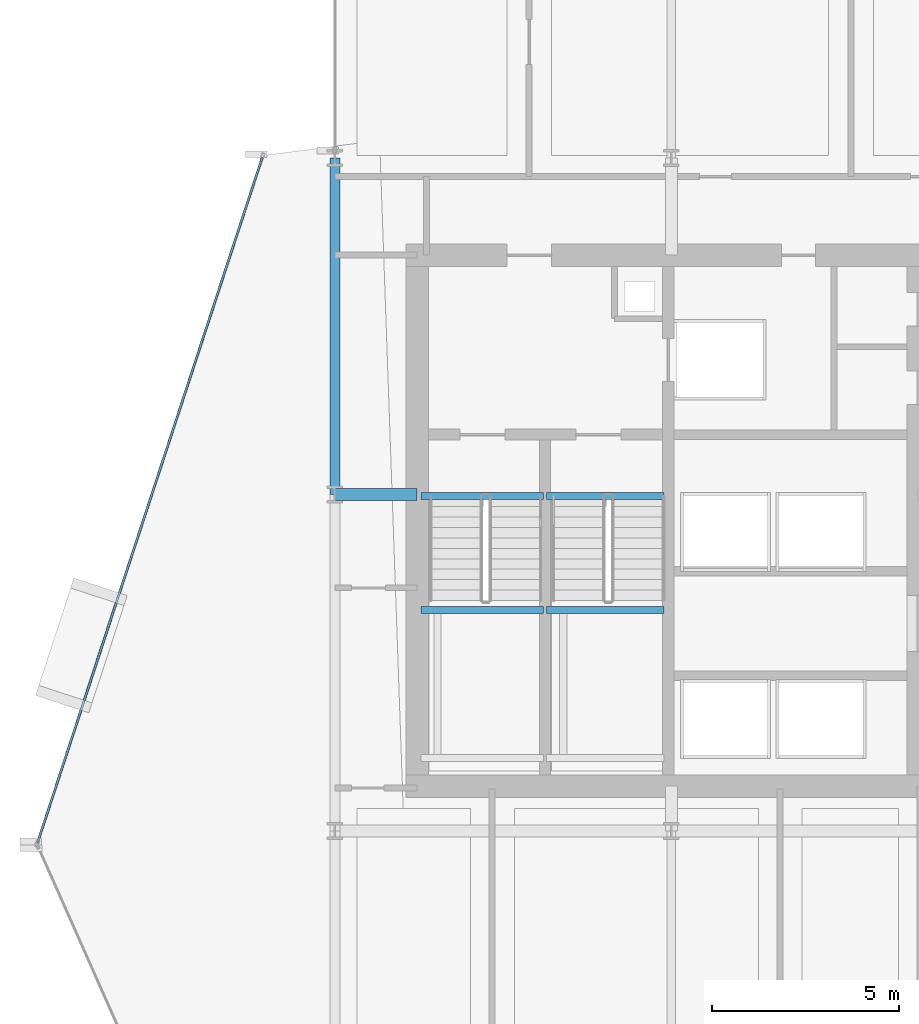
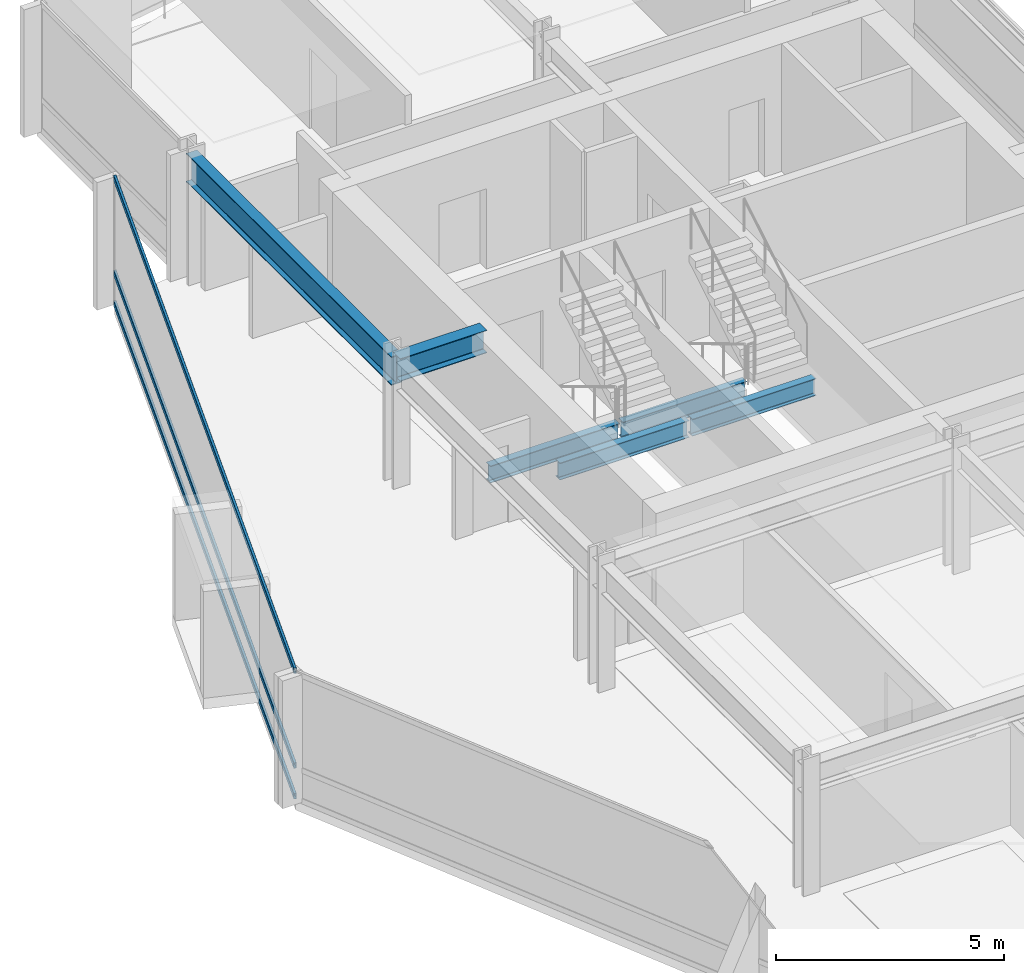
# One storey, part 15 of 29: 6 beams, 3 members, 1 element without a shape of its own.
"""IFC4 building model written with IfcOpenShell, lengths in metres."""

from ifc_helpers import new_model, si_unit, direction, frame, origin, origin_2d, place, context, subcontext, project, spatial, hollow_rectangle, i_section, extrude, material, layer, layer_set, material_profile, profile_set, type_object, element, aggregate, save


model = new_model("IFC4")

# Units and contexts
model_context = context("Model", 3, precision=1e-05, world=origin(), true_north=direction((0.0, 1.0)))
body_context = subcontext(model_context, "Body", "Model", "MODEL_VIEW")
ifc_project = project(units=[si_unit("LENGTHUNIT", "METRE"), si_unit("AREAUNIT", "SQUARE_METRE"), si_unit("VOLUMEUNIT", "CUBIC_METRE"), si_unit("PLANEANGLEUNIT", "RADIAN"), si_unit("MASSUNIT", "GRAM", prefix="KILO")], contexts=[model_context])

# Site, building, storey
site_placement = place(None, origin())
site = spatial("IfcSite", under=ifc_project, at=site_placement, CompositionType="ELEMENT")
building_placement = place(site_placement, origin())
building = spatial("IfcBuilding", under=site, at=building_placement, Name="Solvaryn Broadcast Tower", CompositionType="ELEMENT")
storey_placement = place(building_placement, frame((0.0, 0.0, 124.800048828125)))
storey = spatial("IfcBuildingStorey", under=building, at=storey_placement, Name="L30", CompositionType="ELEMENT", Elevation=124.800048828125)

# Beams
ifc_material_1 = material(Name="Steel ASTM A992 Grade 50", Category="steel")
ifc_material_profile_1 = material_profile(ifc_material_1, i_section(OverallWidth=0.323974609375, OverallDepth=0.611083984375, WebThickness=0.0126953125, FlangeThickness=0.01904296875, FilletRadius=0.014892578125, at=origin_2d()))
ifc_profile_set_1 = profile_set([ifc_material_profile_1], Name="Steel ASTM A992 Grade 50")
beam_type_1 = type_object("IfcBeamType", Name="BM-B1-W24X104", PredefinedType="BEAM", material=ifc_profile_set_1)
beam_1_placement = place(storey_placement, frame((9.0, 36.0, 3.114501953125), z_axis=(1.0, 0.0, 0.0), x_axis=(0.0, 1.0, 0.0)))
element("IfcBeam", 1, at=beam_1_placement, inside=storey, type_object=beam_type_1, Name="L30 Core Tie Beam CTW1", PredefinedType="BEAM", context=body_context, shape_type="SweptSolid", body=[
    extrude(i_section(OverallWidth=0.323974609375, OverallDepth=0.611083984375, WebThickness=0.0126953125, FlangeThickness=0.01904296875, FilletRadius=0.014892578125, at=origin_2d()), origin(), (0.0, 0.0, 1.0), 2.199951171875),
])
ifc_material_2 = material(Name="Steel ASTM A992 Grade 50", Category="steel")
ifc_material_profile_2 = material_profile(ifc_material_2, i_section(OverallWidth=0.18994140625, OverallDepth=0.45703125, WebThickness=0.009033203125, FlangeThickness=0.014404296875, FilletRadius=0.011962890625, at=origin_2d()))
ifc_profile_set_2 = profile_set([ifc_material_profile_2], Name="Steel ASTM A992 Grade 50")
beam_type_2 = type_object("IfcBeamType", Name="BM-B4-W18X50", PredefinedType="BEAM", material=ifc_profile_set_2)
for number, where, z_axis, x_axis, name in (
    (2, (11.300048828125, 35.9599609375, -0.508544921875), (1.0, 0.0, 0.0), (0.0, 1.0, 0.0), "L30 ST1 Stair Well Trimmer Beam"),
    (3, (11.300048828125, 32.909912109375, 1.42138671875), (1.0, 0.0, 0.0), (0.0, 1.0, 0.0), "L30 ST1 Landing Support Beam 1B"),
):
    element("IfcBeam", number, at=place(storey_placement, frame(where, z_axis=z_axis, x_axis=x_axis)), inside=storey, type_object=beam_type_2, Name=name, PredefinedType="BEAM", context=body_context, shape_type="SweptSolid", body=[
        extrude(i_section(OverallWidth=0.18994140625, OverallDepth=0.45703125, WebThickness=0.009033203125, FlangeThickness=0.014404296875, FilletRadius=0.011962890625, at=origin_2d()), origin(), (0.0, 0.0, 1.0), 3.280029296875),
    ])
for number, where, z_axis, x_axis, name in (
    (4, (14.659912109375, 35.9599609375, -0.508544921875), (1.0, 0.0, 0.0), (0.0, 1.0, 0.0), "L30 ST2 Stair Well Trimmer Beam"),
    (5, (14.659912109375, 32.909912109375, 1.42138671875), (1.0, 0.0, 0.0), (0.0, 1.0, 0.0), "L30 ST2 Landing Support Beam 1B"),
):
    element("IfcBeam", number, at=place(storey_placement, frame(where, z_axis=z_axis, x_axis=x_axis)), inside=storey, type_object=beam_type_2, Name=name, PredefinedType="BEAM", context=body_context, shape_type="SweptSolid", body=[
        extrude(i_section(OverallWidth=0.18994140625, OverallDepth=0.45703125, WebThickness=0.009033203125, FlangeThickness=0.014404296875, FilletRadius=0.011962890625, at=origin_2d()), origin(), (0.0, 0.0, 1.0), 3.14013671875),
    ])
ifc_material_3 = material(Name="Steel ASTM A992 Grade 50", Category="steel")
ifc_material_profile_3 = material_profile(ifc_material_3, i_section(OverallWidth=0.26708984375, OverallDepth=0.76611328125, WebThickness=0.014892578125, FlangeThickness=0.023681640625, FilletRadius=0.01806640625, at=origin_2d()))
ifc_profile_set_3 = profile_set([ifc_material_profile_3], Name="Steel ASTM A992 Grade 50")
beam_type_3 = type_object("IfcBeamType", Name="BM-SP2-W30X124", PredefinedType="USERDEFINED", material=ifc_profile_set_3)
beam_2_placement = place(storey_placement, frame((9.0, 36.0, 3.036865234375), z_axis=(0.0, 1.0, 0.0), x_axis=(-1.0, 0.0, 0.0)))
element("IfcBeam", 6, at=beam_2_placement, inside=storey, type_object=beam_type_3, Name="L30 Spandrel Beam Y (36-45 @ X=9)", ObjectType="SPANDREL", PredefinedType="USERDEFINED", context=body_context, shape_type="SweptSolid", body=[
    extrude(i_section(OverallWidth=0.26708984375, OverallDepth=0.76611328125, WebThickness=0.014892578125, FlangeThickness=0.023681640625, FilletRadius=0.01806640625, at=origin_2d()), origin(), (0.0, 0.0, 1.0), 9.0),
])

# Curtain wall, members
ifc_material_4 = material(Name="Aluminium and Terracotta Unitised Curtain Wall", Category="masonry")
ifc_layer = layer(ifc_material_4, 0.199951171875)
ifc_layer_set = layer_set([ifc_layer], Name="CW-SYS2-LOWMID")
curtain_wall_type = type_object("IfcCurtainWallType", Name="CW-SYS2-LOWMID", PredefinedType="NOTDEFINED", material=ifc_layer_set)
curtain_wall_placement = place(storey_placement, origin())
curtain_wall = element("IfcCurtainWall", 7, at=curtain_wall_placement, inside=storey, type_object=curtain_wall_type, Name="L30 Curtain Wall DR1", PredefinedType="NOTDEFINED")
ifc_material_5 = material(Name="Anodised Aluminium 6063-T6", Category="aluminium")
ifc_material_profile_4 = material_profile(ifc_material_5, hollow_rectangle(XDim=0.06494140625, YDim=0.14990234375, WallThickness=0.00390625, InnerFilletRadius=0.00390625, OuterFilletRadius=0.008056640625, at=origin_2d()))
ifc_profile_set_4 = profile_set([ifc_material_profile_4], Name="Anodised Aluminium 6063-T6")
member_type = type_object("IfcMemberType", Name="CW-TRN-150", PredefinedType="USERDEFINED", material=ifc_profile_set_4)
member_1_placement = place(storey_placement, frame((7.060302734375, 45.010009765625, 0.030029296875), z_axis=(-0.31164571445, -0.950198373323, 0.0), x_axis=(0.950198373323, -0.31164571445, 0.0)))
member_1 = element("IfcMember", 8, at=member_1_placement, type_object=member_type, Name="CWS2 transom 1.1", ObjectType="TRANSOM", PredefinedType="USERDEFINED", context=body_context, shape_type="SweptSolid", body=[
    extrude(hollow_rectangle(XDim=0.06494140625, YDim=0.14990234375, WallThickness=0.00390625, InnerFilletRadius=0.00390625, OuterFilletRadius=0.008056640625, at=origin_2d()), origin(), (0.0, 0.0, 1.0), 19.27685546875),
])
member_2_placement = place(storey_placement, frame((7.060302734375, 45.010009765625, 0.849853515625), z_axis=(-0.31164571445, -0.950198373323, 0.0), x_axis=(0.950198373323, -0.31164571445, 0.0)))
member_2 = element("IfcMember", 9, at=member_2_placement, type_object=member_type, Name="CWS2 transom 1.2", ObjectType="TRANSOM", PredefinedType="USERDEFINED", context=body_context, shape_type="SweptSolid", body=[
    extrude(hollow_rectangle(XDim=0.06494140625, YDim=0.14990234375, WallThickness=0.00390625, InnerFilletRadius=0.00390625, OuterFilletRadius=0.008056640625, at=origin_2d()), origin(), (0.0, 0.0, 1.0), 19.27685546875),
])
member_3_placement = place(storey_placement, frame((7.060302734375, 45.010009765625, 3.389892578125), z_axis=(-0.31164571445, -0.950198373323, 0.0), x_axis=(0.950198373323, -0.31164571445, 0.0)))
member_3 = element("IfcMember", 10, at=member_3_placement, type_object=member_type, Name="CWS2 transom 1.3", ObjectType="TRANSOM", PredefinedType="USERDEFINED", context=body_context, shape_type="SweptSolid", body=[
    extrude(hollow_rectangle(XDim=0.06494140625, YDim=0.14990234375, WallThickness=0.00390625, InnerFilletRadius=0.00390625, OuterFilletRadius=0.008056640625, at=origin_2d()), origin(), (0.0, 0.0, 1.0), 19.27685546875),
])
aggregate(curtain_wall, [member_1, member_2, member_3])

save(model, "model.ifc")
